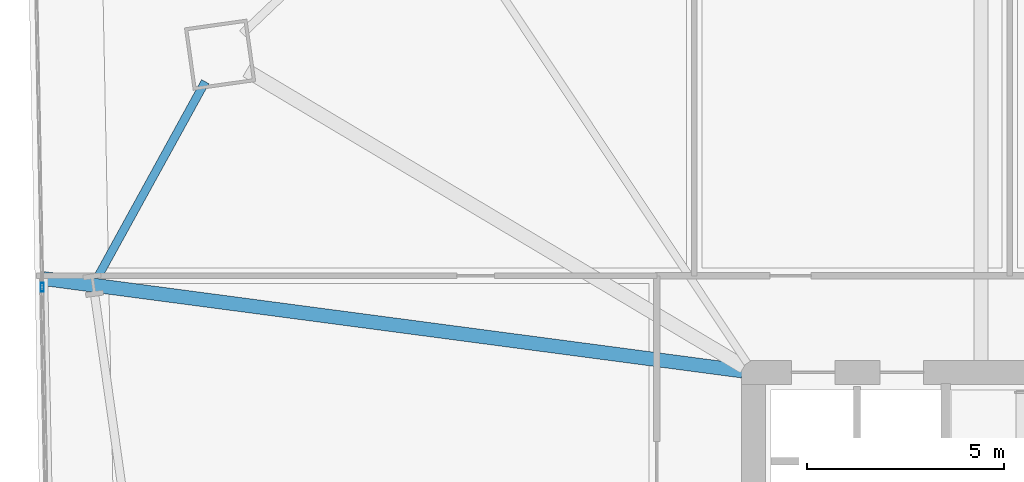
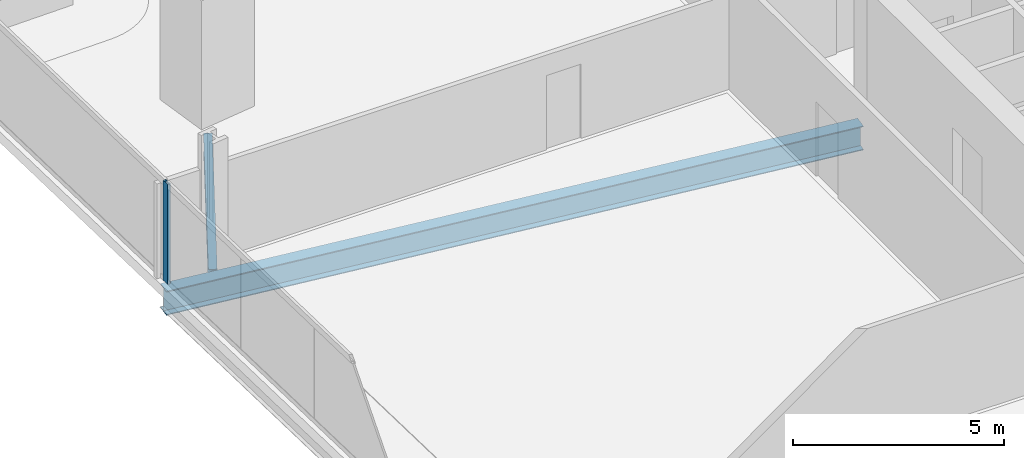
# One storey, part 16 of 35: 2 beams, 1 member, 1 element without a shape of its own.
"""IFC4 building model written with IfcOpenShell, lengths in metres."""

from ifc_helpers import new_model, si_unit, direction, frame, origin, origin_2d, place, context, subcontext, project, spatial, hollow_rectangle, i_section, extrude, material, material_profile, profile_set, type_object, element, aggregate, save


model = new_model("IFC4")

# Units and contexts
model_context = context("Model", 3, precision=1e-05, world=origin(), true_north=direction((0.0, 1.0)))
body_context = subcontext(model_context, "Body", "Model", "MODEL_VIEW")
ifc_project = project(units=[si_unit("LENGTHUNIT", "METRE"), si_unit("AREAUNIT", "SQUARE_METRE"), si_unit("VOLUMEUNIT", "CUBIC_METRE"), si_unit("PLANEANGLEUNIT", "RADIAN"), si_unit("MASSUNIT", "GRAM", prefix="KILO")], contexts=[model_context])

# Site, building, storey
site_placement = place(None, origin())
site = spatial("IfcSite", under=ifc_project, at=site_placement, CompositionType="ELEMENT")
building_placement = place(site_placement, origin())
building = spatial("IfcBuilding", under=site, at=building_placement, Name="Haldenkirk Collegiate Tower", CompositionType="ELEMENT")
storey_placement = place(building_placement, frame((0.0, 0.0, 32.699951171875)))
storey = spatial("IfcBuildingStorey", under=building, at=storey_placement, Name="L06", CompositionType="ELEMENT", Elevation=32.699951171875)

# Beams
ifc_material_1 = material(Name="Steel ASTM A992 Grade 50", Category="steel")
ifc_material_profile_1 = material_profile(ifc_material_1, i_section(OverallWidth=0.35498046875, OverallDepth=0.696044921875, WebThickness=0.015380859375, FlangeThickness=0.02490234375, at=origin_2d()), Name="W27X146")
ifc_profile_set_1 = profile_set([ifc_material_profile_1], Name="Steel ASTM A992 Grade 50")
beam_type_1 = type_object("IfcBeamType", Name="BM-GIRDER-W27X146", PredefinedType="BEAM", material=ifc_profile_set_1)
beam_1_placement = place(storey_placement, frame((9.006103515625, 36.379638671875, -0.657958984375), z_axis=(0.991367775204, -0.131110389695, 0.0), x_axis=(0.131110389695, 0.991367775204, 0.0)))
element("IfcBeam", 1, at=beam_1_placement, inside=storey, type_object=beam_type_1, Name="L06 primary floor girder 14", PredefinedType="BEAM", context=body_context, shape_type="SweptSolid", body=[
    extrude(i_section(OverallWidth=0.35498046875, OverallDepth=0.696044921875, WebThickness=0.015380859375, FlangeThickness=0.02490234375, at=origin_2d()), origin(), (0.0, 0.0, 1.0), 17.87060546875),
])
ifc_material_profile_2 = material_profile(ifc_material_1, i_section(OverallWidth=0.2119140625, OverallDepth=0.5439453125, WebThickness=0.01318359375, FlangeThickness=0.021240234375, at=origin_2d()), Name="W21X83")
ifc_profile_set_2 = profile_set([ifc_material_profile_2], Name="Steel ASTM A992 Grade 50")
beam_type_2 = type_object("IfcBeamType", Name="BM-SPANDREL-W21X83", PredefinedType="SPANDREL", material=ifc_profile_set_2)
beam_2_placement = place(storey_placement, frame((13.10400390625, 41.37109375, -0.58203125), z_axis=(-0.482003753736, -0.876169151126, 0.0), x_axis=(0.876169151126, -0.482003753736, 0.0)))
element("IfcBeam", 2, at=beam_2_placement, inside=storey, type_object=beam_type_2, Name="L06 perimeter spandrel beam 13", PredefinedType="SPANDREL", context=body_context, shape_type="SweptSolid", body=[
    extrude(i_section(OverallWidth=0.2119140625, OverallDepth=0.5439453125, WebThickness=0.01318359375, FlangeThickness=0.021240234375, at=origin_2d()), origin(), (0.0, 0.0, 1.0), 5.622802734375),
])

# Curtain wall, member
ifc_material_2 = material(Name="Anodised architectural bronze aluminium", Category="aluminium")
curtain_wall_type = type_object("IfcCurtainWallType", Name="CW-SYS1-CONVEX-LOW", PredefinedType="USERDEFINED", material=ifc_material_2)
curtain_wall_placement = place(storey_placement, origin())
curtain_wall = element("IfcCurtainWall", 3, at=curtain_wall_placement, inside=storey, type_object=curtain_wall_type, Name="L06 Lower tower convex bronze-framed unitised curtain wall", ObjectType="UNITISED CURTAIN WALL", PredefinedType="USERDEFINED")
ifc_material_profile_3 = material_profile(ifc_material_2, hollow_rectangle(XDim=0.080078125, YDim=0.219970703125, WallThickness=0.0048828125, at=origin_2d()), Name="CW-MUL-1A")
ifc_profile_set_3 = profile_set([ifc_material_profile_3], Name="Anodised architectural bronze aluminium")
member_type = type_object("IfcMemberType", Name="CW-MUL-1A", PredefinedType="MULLION", material=ifc_profile_set_3)
member_placement = place(storey_placement, frame((8.970703125, 36.15966796875, 0.0), z_axis=(0.0, 0.0, 1.0), x_axis=(-0.999798604983, -0.020068619127, 0.0)))
member = element("IfcMember", 4, at=member_placement, type_object=member_type, Name="CW-1A mullion 4", PredefinedType="MULLION", context=body_context, shape_type="SweptSolid", body=[
    extrude(hollow_rectangle(XDim=0.080078125, YDim=0.219970703125, WallThickness=0.0048828125, at=origin_2d()), origin(), (0.0, 0.0, 1.0), 2.89111328125),
])
aggregate(curtain_wall, [member])

save(model, "model.ifc")
